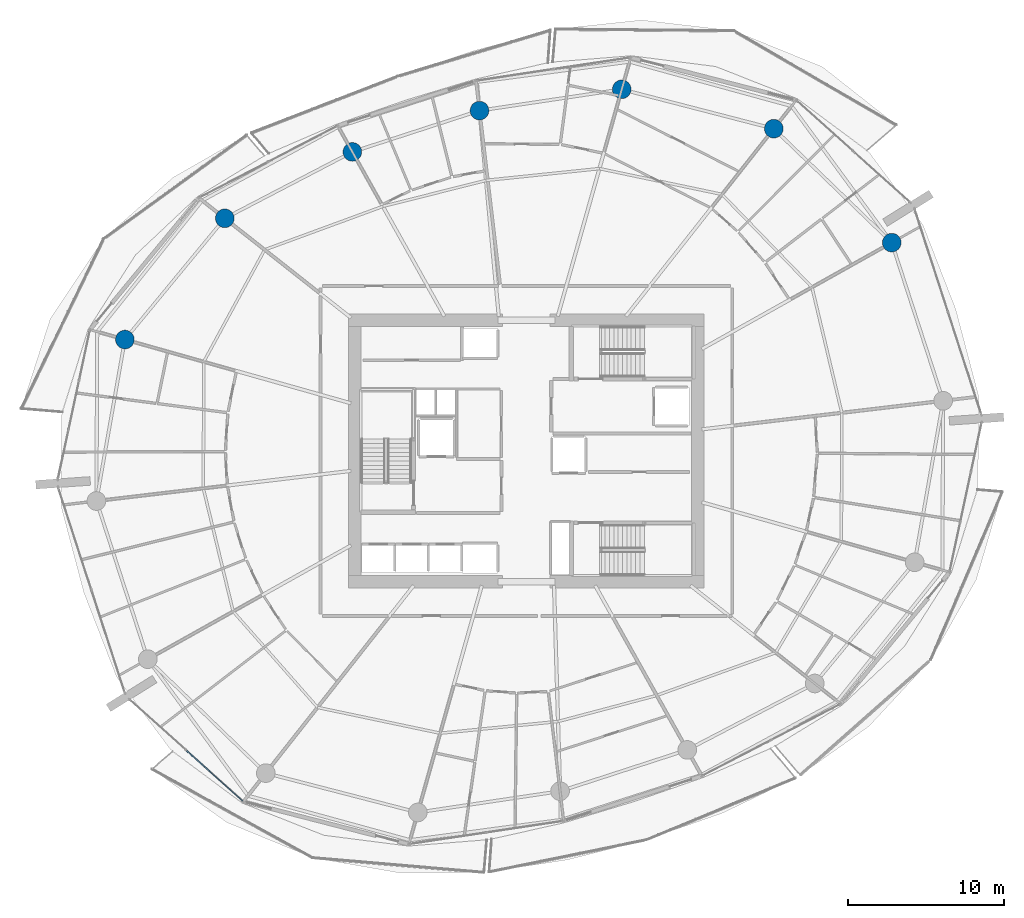
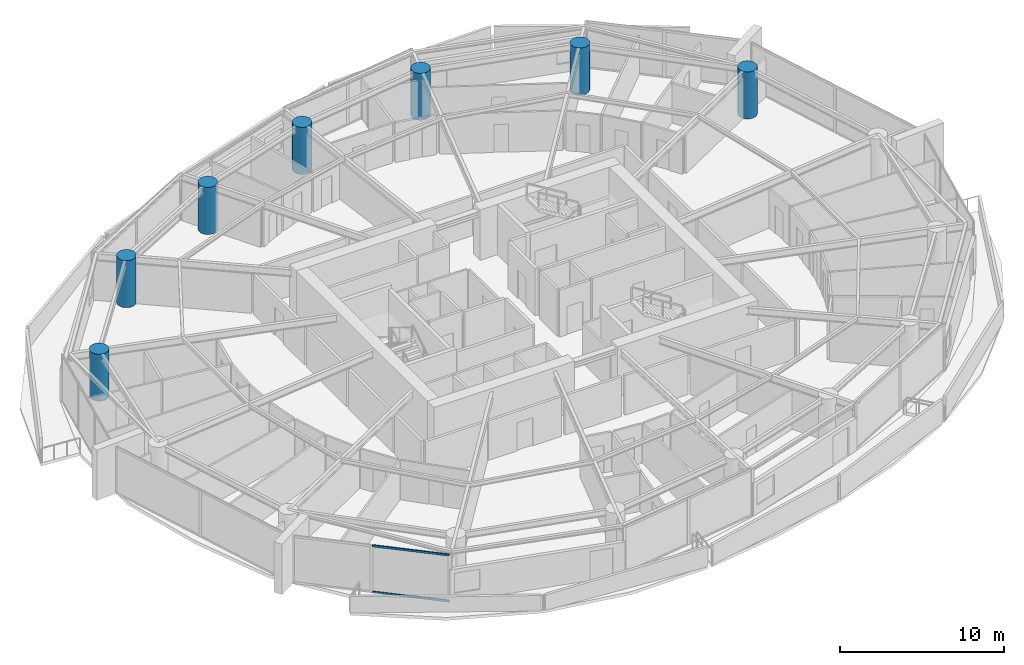
# One storey, part 4 of 23: 7 columns, 2 members, 1 element without a shape of its own.
"""IFC4 building model written with IfcOpenShell, lengths in metres."""

from ifc_helpers import new_model, si_unit, direction, frame, origin, origin_2d, place, context, subcontext, project, spatial, rectangle, circle, extrude, material, layer, layer_set, material_profile, profile_set, type_object, element, aggregate, save


model = new_model("IFC4")

# Units and contexts
model_context = context("Model", 3, precision=1e-05, world=origin(), true_north=direction((0.0, 1.0)))
body_context = subcontext(model_context, "Body", "Model", "MODEL_VIEW")
ifc_project = project(units=[si_unit("LENGTHUNIT", "METRE"), si_unit("AREAUNIT", "SQUARE_METRE"), si_unit("VOLUMEUNIT", "CUBIC_METRE"), si_unit("PLANEANGLEUNIT", "RADIAN"), si_unit("MASSUNIT", "GRAM", prefix="KILO")], contexts=[model_context])

# Site, building, storey
site_placement = place(None, origin())
site = spatial("IfcSite", under=ifc_project, at=site_placement, CompositionType="ELEMENT")
building_placement = place(site_placement, origin())
building = spatial("IfcBuilding", under=site, at=building_placement, Name="Kazma Halo Residences", CompositionType="ELEMENT")
storey_placement = place(building_placement, frame((0.0, 0.0, 101.39990234375)))
storey = spatial("IfcBuildingStorey", under=building, at=storey_placement, Name="L25", CompositionType="ELEMENT", Elevation=101.39990234375)

# Columns
ifc_material_1 = material(Name="Concrete C80/95", Category="concrete")
ifc_material_profile_1 = material_profile(ifc_material_1, circle(Radius=0.60009765625, at=origin_2d()), Name="CIRC1200")
ifc_profile_set_1 = profile_set([ifc_material_profile_1], Name="Concrete C80/95")
column_type = type_object("IfcColumnType", Name="COL-PERIM-1200", PredefinedType="COLUMN", material=ifc_profile_set_1)
for number, where, z_axis, x_axis, name in (
    (1, (71.9033203125, 55.386474609375, 0.0), (0.0, 0.0, 1.0), (1.0, 0.0, 0.0), "L25 perimeter ring column P01"),
    (2, (64.323486328125, 62.706298828125, 0.0), (0.0, 0.0, 1.0), (1.0, 0.0, 0.0), "L25 perimeter ring column P02"),
    (3, (54.552734375, 65.234130859375, 0.0), (0.0, 0.0, 1.0), (1.0, 0.0, 0.0), "L25 perimeter ring column P03"),
    (4, (45.41162109375, 63.869140625, 0.0), (0.0, 0.0, 1.0), (1.0, 0.0, 0.0), "L25 perimeter ring column P04"),
    (5, (37.23974609375, 61.2138671875, 0.0), (0.0, 0.0, 1.0), (1.0, 0.0, 0.0), "L25 perimeter ring column P05"),
    (6, (29.0419921875, 56.9453125, 0.0), (0.0, 0.0, 1.0), (1.0, 0.0, 0.0), "L25 perimeter ring column P06"),
    (7, (22.623291015625, 49.156982421875, 0.0), (0.0, 0.0, 1.0), (1.0, 0.0, 0.0), "L25 perimeter ring column P07"),
):
    element("IfcColumn", number, at=place(storey_placement, frame(where, z_axis=z_axis, x_axis=x_axis)), inside=storey, type_object=column_type, Name=name, PredefinedType="COLUMN", context=body_context, shape_type="SweptSolid", body=[
        extrude(circle(Radius=0.60009765625, at=origin_2d()), origin(), (0.0, 0.0, 1.0), 3.5),
    ])

# Curtain wall, members
ifc_material_2 = material(Name="Aluminium AW-6063 T6 and Triple-Silver Low-E Glass", Category="aluminium")
ifc_layer = layer(ifc_material_2, 0.199951171875)
ifc_layer_set = layer_set([ifc_layer], Name="Aluminium AW-6063 T6 and Triple-Silver Low-E Glass")
curtain_wall_type = type_object("IfcCurtainWallType", Name="CW-SYS-3", PredefinedType="NOTDEFINED", material=ifc_layer_set)
curtain_wall_placement = place(storey_placement, origin())
curtain_wall = element("IfcCurtainWall", 8, at=curtain_wall_placement, inside=storey, type_object=curtain_wall_type, Name="L25 unitised curtain wall B09", PredefinedType="NOTDEFINED")
ifc_material_3 = material(Name="Aluminium AW-6063 T6", Category="aluminium")
ifc_material_profile_2 = material_profile(ifc_material_3, rectangle(XDim=0.070068359375, YDim=0.14990234375, at=origin_2d()), Name="CWT-70x150")
ifc_profile_set_2 = profile_set([ifc_material_profile_2], Name="Aluminium AW-6063 T6")
member_type = type_object("IfcMemberType", Name="CW-SYS-3-TRN", PredefinedType="USERDEFINED", material=ifc_profile_set_2)
member_1_placement = place(storey_placement, frame((26.5947265625, 22.72998046875, 0.03515625), z_axis=(0.744338471453, -0.667802545603, 0.0), x_axis=(0.667802545603, 0.744338471453, 0.0)))
member_1 = element("IfcMember", 9, at=member_1_placement, type_object=member_type, Name="CWS-3 transom 2.1", ObjectType="TRANSOM", PredefinedType="USERDEFINED", context=body_context, shape_type="SweptSolid", body=[
    extrude(rectangle(XDim=0.070068359375, YDim=0.14990234375, at=origin_2d()), origin(), (0.0, 0.0, 1.0), 4.81982421875),
])
member_2_placement = place(storey_placement, frame((26.5947265625, 22.72998046875, 3.465087890625), z_axis=(0.744338471453, -0.667802545603, 0.0), x_axis=(0.667802545603, 0.744338471453, 0.0)))
member_2 = element("IfcMember", 10, at=member_2_placement, type_object=member_type, Name="CWS-3 transom 2.2", ObjectType="TRANSOM", PredefinedType="USERDEFINED", context=body_context, shape_type="SweptSolid", body=[
    extrude(rectangle(XDim=0.070068359375, YDim=0.14990234375, at=origin_2d()), origin(), (0.0, 0.0, 1.0), 4.81982421875),
])
aggregate(curtain_wall, [member_1, member_2])

save(model, "model.ifc")
